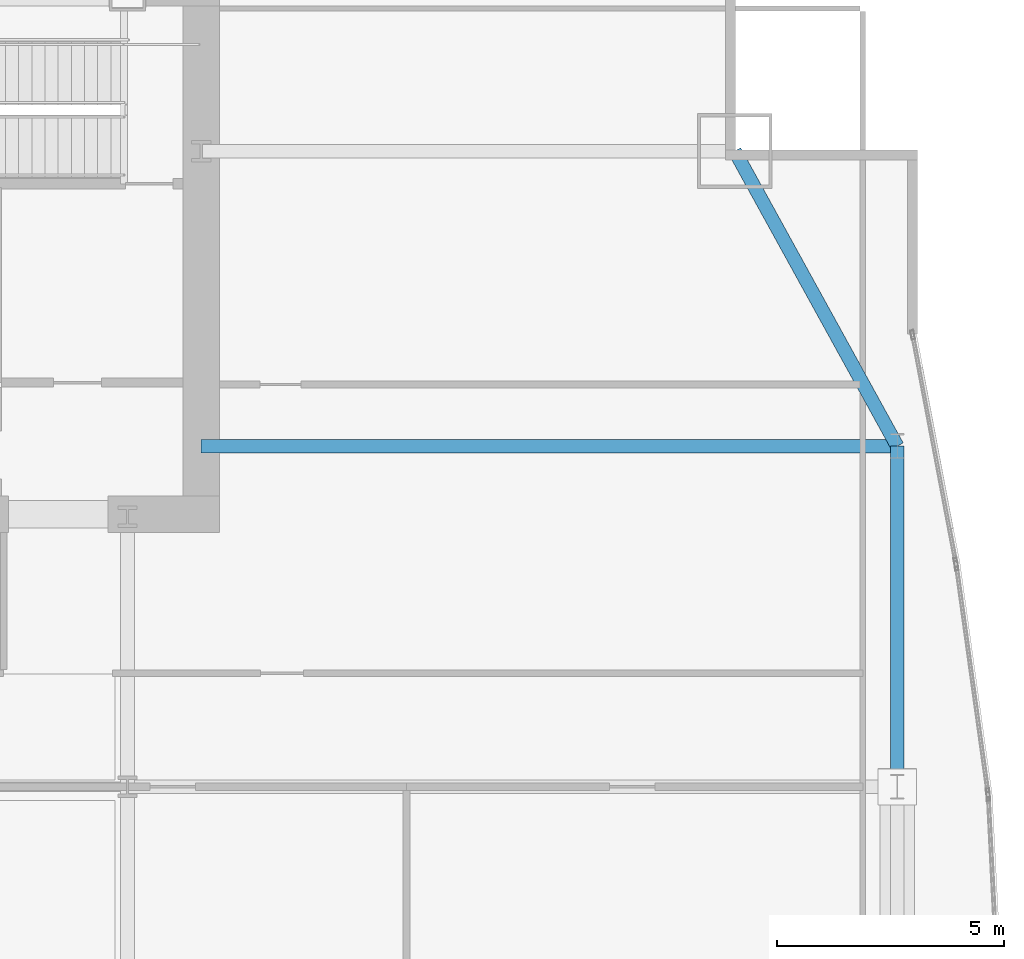
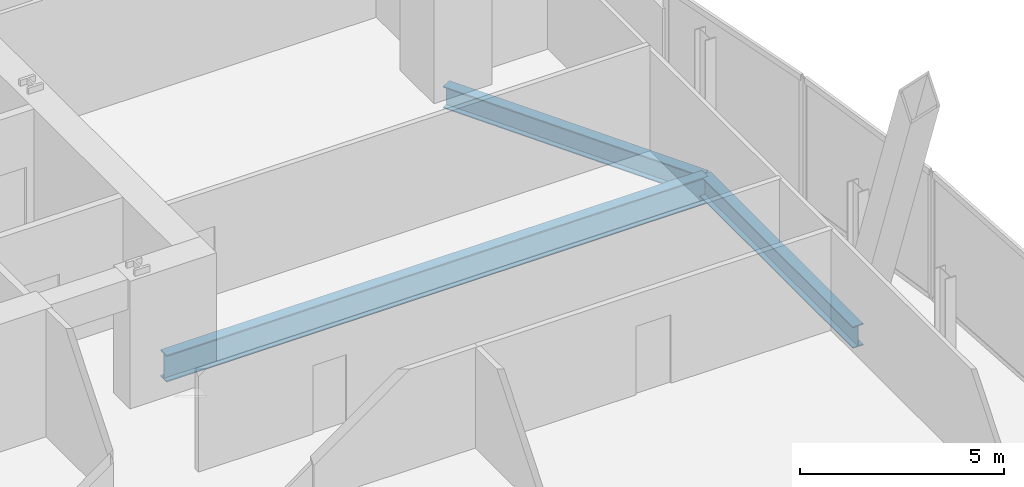
# One storey, part 26 of 37: 3 beams.
"""IFC4 building model written with IfcOpenShell, lengths in metres."""

from ifc_helpers import new_model, si_unit, direction, frame, origin, origin_2d, place, context, subcontext, project, spatial, i_section, extrude, material, material_profile, profile_set, type_object, element, save


model = new_model("IFC4")

# Units and contexts
model_context = context("Model", 3, precision=1e-05, world=origin(), true_north=direction((0.0, 1.0)))
body_context = subcontext(model_context, "Body", "Model", "MODEL_VIEW")
ifc_project = project(units=[si_unit("LENGTHUNIT", "METRE"), si_unit("AREAUNIT", "SQUARE_METRE"), si_unit("VOLUMEUNIT", "CUBIC_METRE"), si_unit("PLANEANGLEUNIT", "RADIAN"), si_unit("MASSUNIT", "GRAM", prefix="KILO")], contexts=[model_context])

# Site, building, storey
site_placement = place(None, origin())
site = spatial("IfcSite", under=ifc_project, at=site_placement, CompositionType="ELEMENT")
building_placement = place(site_placement, origin())
building = spatial("IfcBuilding", under=site, at=building_placement, Name="Khoronbel Lancet Exchange", CompositionType="ELEMENT")
storey_placement = place(building_placement, frame((0.0, 0.0, 61.800048828125)))
storey = spatial("IfcBuildingStorey", under=building, at=storey_placement, Name="L14", CompositionType="ELEMENT", Elevation=61.800048828125)

# Beams
ifc_material = material(Name="Steel S355", Category="steel")
ifc_material_profile_1 = material_profile(ifc_material, i_section(OverallWidth=0.300048828125, OverallDepth=0.800048828125, WebThickness=0.017578125, FlangeThickness=0.032958984375, at=origin_2d()), Name="HEB 800")
ifc_profile_set_1 = profile_set([ifc_material_profile_1], Name="Steel S355")
beam_type_1 = type_object("IfcBeamType", Name="BM-BG2", PredefinedType="BEAM", material=ifc_profile_set_1)
beam_1_placement = place(storey_placement, frame((56.300048828125, 43.199951171875, -0.580078125), z_axis=(1.0, 0.0, 0.0), x_axis=(0.0, 1.0, 0.0)))
element("IfcBeam", 1, at=beam_1_placement, inside=storey, type_object=beam_type_1, Name="Level L14 east lens tie girder LG3E", PredefinedType="BEAM", context=body_context, shape_type="SweptSolid", body=[
    extrude(i_section(OverallWidth=0.300048828125, OverallDepth=0.800048828125, WebThickness=0.017578125, FlangeThickness=0.032958984375, at=origin_2d()), origin(), (0.0, 0.0, 1.0), 15.329833984375),
])
ifc_material_profile_2 = material_profile(ifc_material, i_section(OverallWidth=0.300048828125, OverallDepth=0.64990234375, WebThickness=0.01611328125, FlangeThickness=0.031005859375, at=origin_2d()), Name="HEB 650")
ifc_profile_set_2 = profile_set([ifc_material_profile_2], Name="Steel S355")
beam_type_2 = type_object("IfcBeamType", Name="BM-BSP1", PredefinedType="SPANDREL", material=ifc_profile_set_2)
beam_2_placement = place(storey_placement, frame((71.6298828125, 35.699951171875, -0.505126953125), z_axis=(0.0, 1.0, 0.0), x_axis=(-1.0, 0.0, 0.0)))
element("IfcBeam", 2, at=beam_2_placement, inside=storey, type_object=beam_type_2, Name="Level L14 perimeter spandrel beam SP14", PredefinedType="SPANDREL", context=body_context, shape_type="SweptSolid", body=[
    extrude(i_section(OverallWidth=0.300048828125, OverallDepth=0.64990234375, WebThickness=0.01611328125, FlangeThickness=0.031005859375, at=origin_2d()), origin(), (0.0, 0.0, 1.0), 7.5),
])
beam_3_placement = place(storey_placement, frame((71.6298828125, 43.199951171875, -0.505126953125), z_axis=(-0.482418808117, 0.875940690672, 0.0), x_axis=(-0.875940690672, -0.482418808117, 0.0)))
element("IfcBeam", 3, at=beam_3_placement, inside=storey, type_object=beam_type_2, Name="Level L14 perimeter spandrel beam SP15", PredefinedType="SPANDREL", context=body_context, shape_type="SweptSolid", body=[
    extrude(i_section(OverallWidth=0.300048828125, OverallDepth=0.64990234375, WebThickness=0.01611328125, FlangeThickness=0.031005859375, at=origin_2d()), origin(), (0.0, 0.0, 1.0), 7.420654296875),
])

save(model, "model.ifc")
